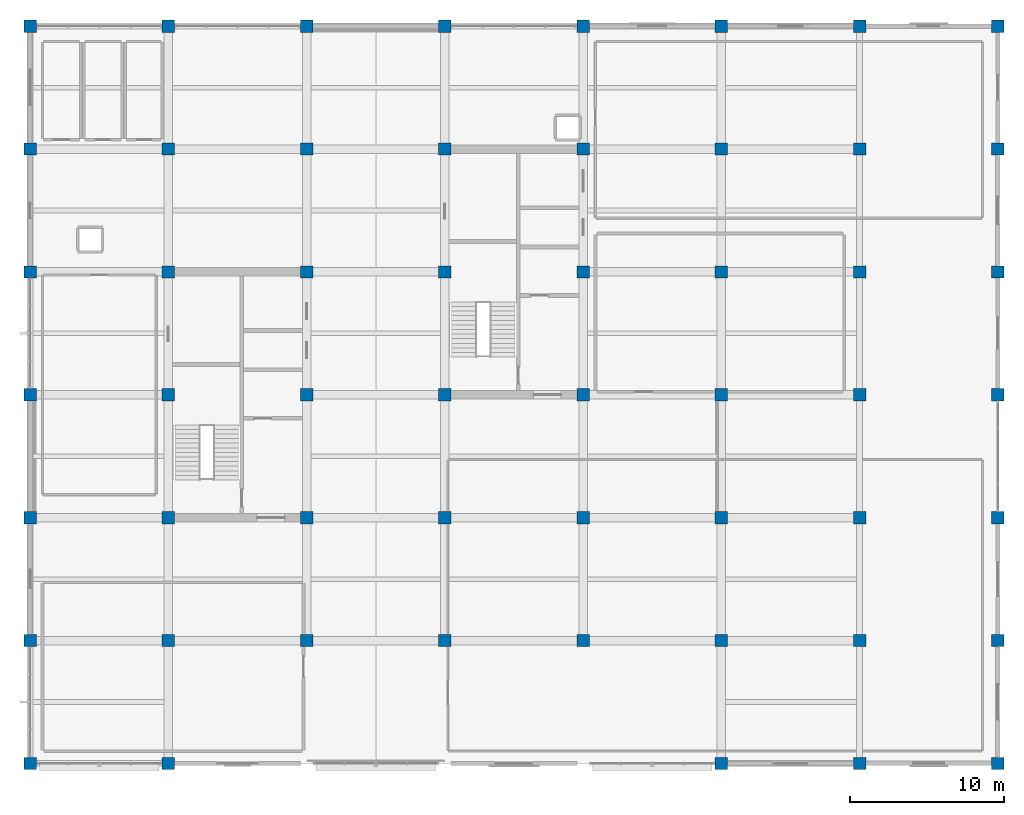
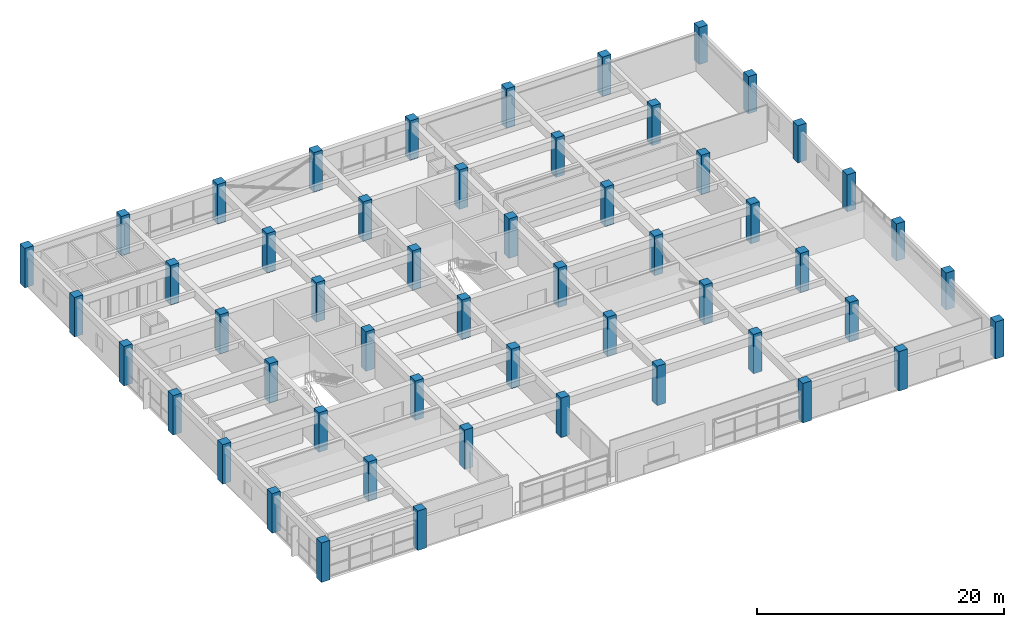
# One storey, part 1 of 16: 53 columns.
"""IFC4 building model written with IfcOpenShell, lengths in metres."""

from ifc_helpers import new_model, si_unit, direction, frame, origin, origin_2d, place, context, subcontext, project, spatial, rectangle, extrude, material, material_profile, profile_set, type_object, element, save


model = new_model("IFC4")

# Units and contexts
model_context = context("Model", 3, precision=1e-05, world=origin(), true_north=direction((0.0, 1.0)))
body_context = subcontext(model_context, "Body", "Model", "MODEL_VIEW")
ifc_project = project(units=[si_unit("LENGTHUNIT", "METRE"), si_unit("AREAUNIT", "SQUARE_METRE"), si_unit("VOLUMEUNIT", "CUBIC_METRE"), si_unit("PLANEANGLEUNIT", "RADIAN"), si_unit("MASSUNIT", "GRAM", prefix="KILO")], contexts=[model_context])

# Site, building, storey
site_placement = place(None, origin())
site = spatial("IfcSite", under=ifc_project, at=site_placement, CompositionType="ELEMENT")
building_placement = place(site_placement, origin())
building = spatial("IfcBuilding", under=site, at=building_placement, Name="Zaverband Oceanarium and Marine Research Institute", CompositionType="ELEMENT")
storey_placement = place(building_placement, frame((0.0, 0.0, 41.39990234375)))
storey = spatial("IfcBuildingStorey", under=building, at=storey_placement, Name="L10", CompositionType="ELEMENT", Elevation=41.39990234375)

# Columns
ifc_material = material(Name="Concrete C50/60", Category="concrete")
ifc_material_profile = material_profile(ifc_material, rectangle(XDim=0.800048828125, YDim=0.800048828125, at=origin_2d()), Name="RC800x800")
ifc_profile_set = profile_set([ifc_material_profile], Name="Concrete C50/60")
column_type = type_object("IfcColumnType", Name="COL-C800", PredefinedType="COLUMN", material=ifc_profile_set)
for number, where, z_axis, x_axis, name in (
    (1, (9.0, 64.0, 0.0), (0.0, 0.0, 1.0), (1.0, 0.0, 0.0), "Reinforced concrete column RC800x800 COL-C800"),
    (2, (9.0, 72.0, 0.0), (0.0, 0.0, 1.0), (1.0, 0.0, 0.0), "Reinforced concrete column RC800x800 COL-C800"),
    (3, (9.0, 80.0, 0.0), (0.0, 0.0, 1.0), (1.0, 0.0, 0.0), "Reinforced concrete column RC800x800 COL-C800"),
    (4, (9.0, 88.0, 0.0), (0.0, 0.0, 1.0), (1.0, 0.0, 0.0), "Reinforced concrete column RC800x800 COL-C800"),
    (5, (9.0, 96.0, 0.0), (0.0, 0.0, 1.0), (1.0, 0.0, 0.0), "Reinforced concrete column RC800x800 COL-C800"),
    (6, (9.0, 104.0, 0.0), (0.0, 0.0, 1.0), (1.0, 0.0, 0.0), "Reinforced concrete column RC800x800 COL-C800"),
    (7, (9.0, 112.0, 0.0), (0.0, 0.0, 1.0), (1.0, 0.0, 0.0), "Reinforced concrete column RC800x800 COL-C800"),
    (8, (18.0, 64.0, 0.0), (0.0, 0.0, 1.0), (1.0, 0.0, 0.0), "Reinforced concrete column RC800x800 COL-C800"),
    (9, (18.0, 72.0, 0.0), (0.0, 0.0, 1.0), (1.0, 0.0, 0.0), "Reinforced concrete column RC800x800 COL-C800"),
    (10, (18.0, 80.0, 0.0), (0.0, 0.0, 1.0), (1.0, 0.0, 0.0), "Reinforced concrete column RC800x800 COL-C800"),
    (11, (18.0, 88.0, 0.0), (0.0, 0.0, 1.0), (1.0, 0.0, 0.0), "Reinforced concrete column RC800x800 COL-C800"),
    (12, (18.0, 96.0, 0.0), (0.0, 0.0, 1.0), (1.0, 0.0, 0.0), "Reinforced concrete column RC800x800 COL-C800"),
    (13, (18.0, 104.0, 0.0), (0.0, 0.0, 1.0), (1.0, 0.0, 0.0), "Reinforced concrete column RC800x800 COL-C800"),
    (14, (18.0, 112.0, 0.0), (0.0, 0.0, 1.0), (1.0, 0.0, 0.0), "Reinforced concrete column RC800x800 COL-C800"),
    (15, (27.0, 72.0, 0.0), (0.0, 0.0, 1.0), (1.0, 0.0, 0.0), "Reinforced concrete column RC800x800 COL-C800"),
    (16, (27.0, 80.0, 0.0), (0.0, 0.0, 1.0), (1.0, 0.0, 0.0), "Reinforced concrete column RC800x800 COL-C800"),
    (17, (27.0, 88.0, 0.0), (0.0, 0.0, 1.0), (1.0, 0.0, 0.0), "Reinforced concrete column RC800x800 COL-C800"),
    (18, (27.0, 96.0, 0.0), (0.0, 0.0, 1.0), (1.0, 0.0, 0.0), "Reinforced concrete column RC800x800 COL-C800"),
    (19, (27.0, 104.0, 0.0), (0.0, 0.0, 1.0), (1.0, 0.0, 0.0), "Reinforced concrete column RC800x800 COL-C800"),
    (20, (27.0, 112.0, 0.0), (0.0, 0.0, 1.0), (1.0, 0.0, 0.0), "Reinforced concrete column RC800x800 COL-C800"),
    (21, (36.0, 72.0, 0.0), (0.0, 0.0, 1.0), (1.0, 0.0, 0.0), "Reinforced concrete column RC800x800 COL-C800"),
    (22, (36.0, 80.0, 0.0), (0.0, 0.0, 1.0), (1.0, 0.0, 0.0), "Reinforced concrete column RC800x800 COL-C800"),
    (23, (36.0, 88.0, 0.0), (0.0, 0.0, 1.0), (1.0, 0.0, 0.0), "Reinforced concrete column RC800x800 COL-C800"),
    (24, (36.0, 96.0, 0.0), (0.0, 0.0, 1.0), (1.0, 0.0, 0.0), "Reinforced concrete column RC800x800 COL-C800"),
    (25, (36.0, 104.0, 0.0), (0.0, 0.0, 1.0), (1.0, 0.0, 0.0), "Reinforced concrete column RC800x800 COL-C800"),
    (26, (36.0, 112.0, 0.0), (0.0, 0.0, 1.0), (1.0, 0.0, 0.0), "Reinforced concrete column RC800x800 COL-C800"),
    (27, (45.0, 72.0, 0.0), (0.0, 0.0, 1.0), (1.0, 0.0, 0.0), "Reinforced concrete column RC800x800 COL-C800"),
    (28, (45.0, 80.0, 0.0), (0.0, 0.0, 1.0), (1.0, 0.0, 0.0), "Reinforced concrete column RC800x800 COL-C800"),
    (29, (45.0, 88.0, 0.0), (0.0, 0.0, 1.0), (1.0, 0.0, 0.0), "Reinforced concrete column RC800x800 COL-C800"),
    (30, (45.0, 96.0, 0.0), (0.0, 0.0, 1.0), (1.0, 0.0, 0.0), "Reinforced concrete column RC800x800 COL-C800"),
    (31, (45.0, 104.0, 0.0), (0.0, 0.0, 1.0), (1.0, 0.0, 0.0), "Reinforced concrete column RC800x800 COL-C800"),
    (32, (45.0, 112.0, 0.0), (0.0, 0.0, 1.0), (1.0, 0.0, 0.0), "Reinforced concrete column RC800x800 COL-C800"),
    (33, (54.0, 64.0, 0.0), (0.0, 0.0, 1.0), (1.0, 0.0, 0.0), "Reinforced concrete column RC800x800 COL-C800"),
    (34, (54.0, 72.0, 0.0), (0.0, 0.0, 1.0), (1.0, 0.0, 0.0), "Reinforced concrete column RC800x800 COL-C800"),
    (35, (54.0, 80.0, 0.0), (0.0, 0.0, 1.0), (1.0, 0.0, 0.0), "Reinforced concrete column RC800x800 COL-C800"),
    (36, (54.0, 88.0, 0.0), (0.0, 0.0, 1.0), (1.0, 0.0, 0.0), "Reinforced concrete column RC800x800 COL-C800"),
    (37, (54.0, 96.0, 0.0), (0.0, 0.0, 1.0), (1.0, 0.0, 0.0), "Reinforced concrete column RC800x800 COL-C800"),
    (38, (54.0, 104.0, 0.0), (0.0, 0.0, 1.0), (1.0, 0.0, 0.0), "Reinforced concrete column RC800x800 COL-C800"),
    (39, (54.0, 112.0, 0.0), (0.0, 0.0, 1.0), (1.0, 0.0, 0.0), "Reinforced concrete column RC800x800 COL-C800"),
    (40, (63.0, 64.0, 0.0), (0.0, 0.0, 1.0), (1.0, 0.0, 0.0), "Reinforced concrete column RC800x800 COL-C800"),
    (41, (63.0, 72.0, 0.0), (0.0, 0.0, 1.0), (1.0, 0.0, 0.0), "Reinforced concrete column RC800x800 COL-C800"),
    (42, (63.0, 80.0, 0.0), (0.0, 0.0, 1.0), (1.0, 0.0, 0.0), "Reinforced concrete column RC800x800 COL-C800"),
    (43, (63.0, 88.0, 0.0), (0.0, 0.0, 1.0), (1.0, 0.0, 0.0), "Reinforced concrete column RC800x800 COL-C800"),
    (44, (63.0, 96.0, 0.0), (0.0, 0.0, 1.0), (1.0, 0.0, 0.0), "Reinforced concrete column RC800x800 COL-C800"),
    (45, (63.0, 104.0, 0.0), (0.0, 0.0, 1.0), (1.0, 0.0, 0.0), "Reinforced concrete column RC800x800 COL-C800"),
    (46, (63.0, 112.0, 0.0), (0.0, 0.0, 1.0), (1.0, 0.0, 0.0), "Reinforced concrete column RC800x800 COL-C800"),
):
    element("IfcColumn", number, at=place(storey_placement, frame(where, z_axis=z_axis, x_axis=x_axis)), inside=storey, type_object=column_type, Name=name, PredefinedType="COLUMN", context=body_context, shape_type="SweptSolid", body=[
        extrude(rectangle(XDim=0.800048828125, YDim=0.800048828125, at=origin_2d()), origin(), (0.0, 0.0, 1.0), 3.900146484375),
    ])
for number, where, z_axis, x_axis, name in (
    (47, (72.0, 64.0, 0.0), (0.0, 0.0, 1.0), (1.0, 0.0, 0.0), "Reinforced concrete column RC800x800 COL-C800"),
    (48, (72.0, 72.0, 0.0), (0.0, 0.0, 1.0), (1.0, 0.0, 0.0), "Reinforced concrete column RC800x800 COL-C800"),
    (49, (72.0, 80.0, 0.0), (0.0, 0.0, 1.0), (1.0, 0.0, 0.0), "Reinforced concrete column RC800x800 COL-C800"),
    (50, (72.0, 88.0, 0.0), (0.0, 0.0, 1.0), (1.0, 0.0, 0.0), "Reinforced concrete column RC800x800 COL-C800"),
    (51, (72.0, 96.0, 0.0), (0.0, 0.0, 1.0), (1.0, 0.0, 0.0), "Reinforced concrete column RC800x800 COL-C800"),
    (52, (72.0, 104.0, 0.0), (0.0, 0.0, 1.0), (1.0, 0.0, 0.0), "Reinforced concrete column RC800x800 COL-C800"),
    (53, (72.0, 112.0, 0.0), (0.0, 0.0, 1.0), (1.0, 0.0, 0.0), "Reinforced concrete column RC800x800 COL-C800"),
):
    element("IfcColumn", number, at=place(storey_placement, frame(where, z_axis=z_axis, x_axis=x_axis)), inside=storey, type_object=column_type, Name=name, PredefinedType="COLUMN", context=body_context, shape_type="SweptSolid", body=[
        extrude(rectangle(XDim=0.800048828125, YDim=0.800048828125, at=origin_2d()), origin(), (0.0, 0.0, 1.0), 3.66015625),
    ])

save(model, "model.ifc")
